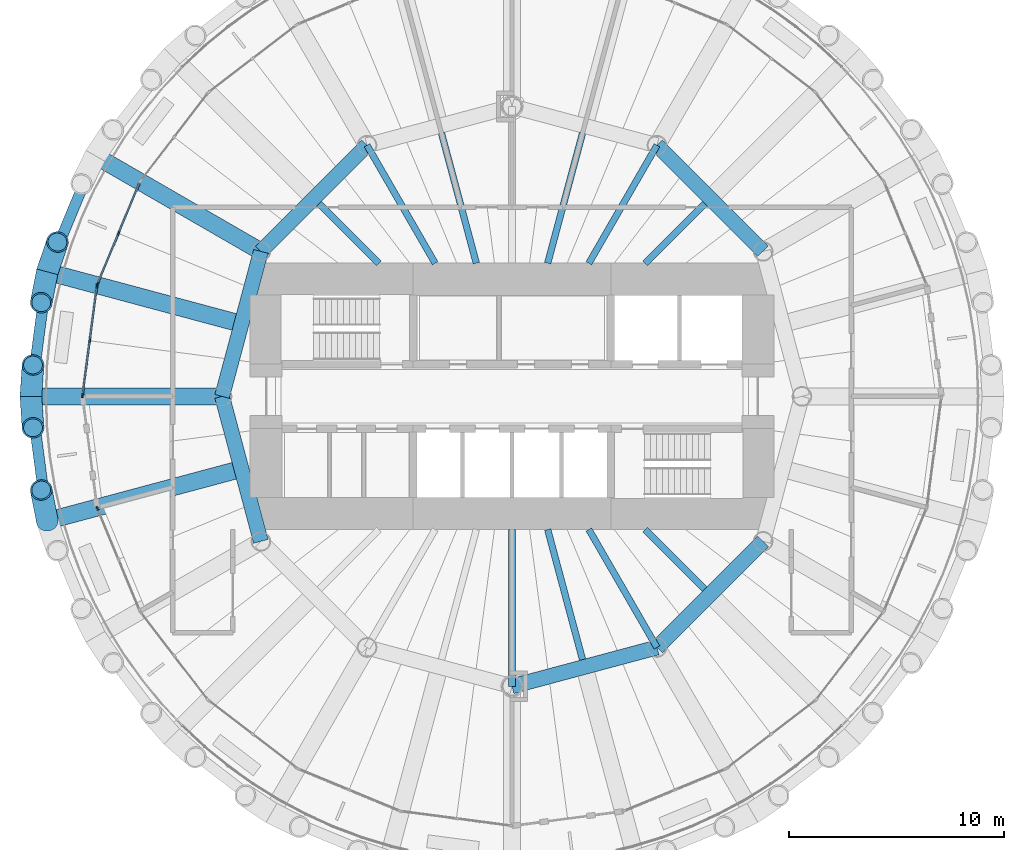
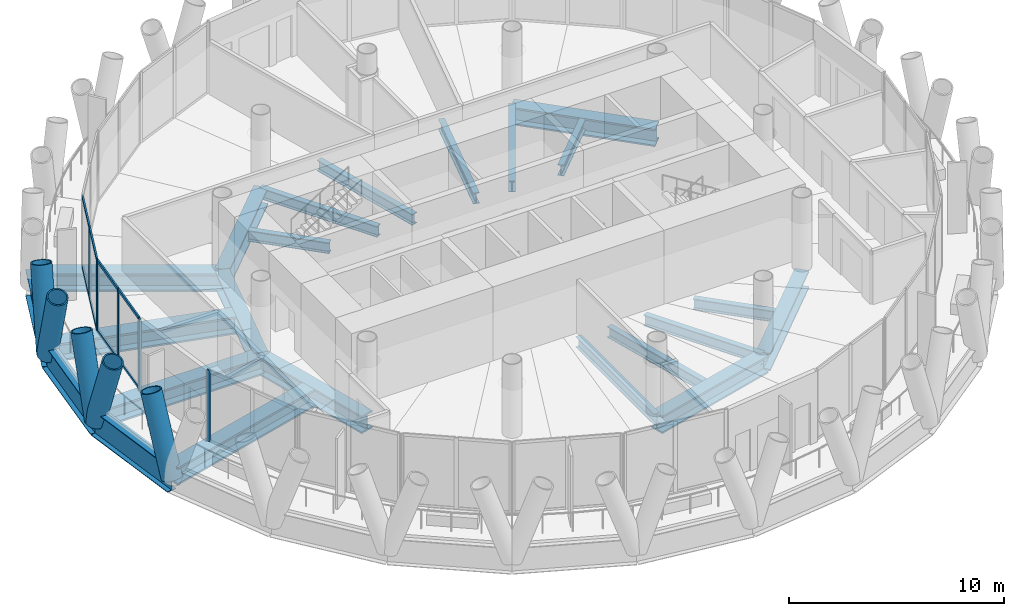
# One storey, part 3 of 13: 23 beams, 19 members, 3 elements without a shape of their own.
"""IFC4 building model written with IfcOpenShell, lengths in metres."""

from ifc_helpers import new_model, si_unit, direction, frame, origin, origin_2d, place, context, subcontext, project, spatial, rectangle, hollow_circle, i_section, extrude, material, material_profile, profile_set, type_object, element, aggregate, save


model = new_model("IFC4")

# Units and contexts
model_context = context("Model", 3, precision=1e-05, world=origin(), true_north=direction((0.0, 1.0)))
body_context = subcontext(model_context, "Body", "Model", "MODEL_VIEW")
ifc_project = project(units=[si_unit("LENGTHUNIT", "METRE"), si_unit("AREAUNIT", "SQUARE_METRE"), si_unit("VOLUMEUNIT", "CUBIC_METRE"), si_unit("PLANEANGLEUNIT", "RADIAN"), si_unit("MASSUNIT", "GRAM", prefix="KILO")], contexts=[model_context])

# Site, building, storey
site_placement = place(None, origin())
site = spatial("IfcSite", under=ifc_project, at=site_placement, CompositionType="ELEMENT")
building_placement = place(site_placement, origin())
building = spatial("IfcBuilding", under=site, at=building_placement, Name="Qaws Media Tower", CompositionType="ELEMENT")
storey_placement = place(building_placement, frame((0.0, 0.0, 244.39990234375)))
storey = spatial("IfcBuildingStorey", under=building, at=storey_placement, Name="L56", CompositionType="ELEMENT", Elevation=244.39990234375)

# Curtain wall, members
ifc_material_1 = material(Name="Aluminium and clear glass", Category="aluminium")
curtain_wall_type = type_object("IfcCurtainWallType", Name="Unitised curtain wall CW-C", PredefinedType="NOTDEFINED", material=ifc_material_1)
curtain_wall_1_placement = place(storey_placement, origin())
curtain_wall_1 = element("IfcCurtainWall", 1, at=curtain_wall_1_placement, inside=storey, type_object=curtain_wall_type, Name="CWC curtain wall L56-11", PredefinedType="NOTDEFINED")
ifc_material_2 = material(Name="Aluminium mullion", Category="aluminium")
ifc_material_profile_1 = material_profile(ifc_material_2, rectangle(XDim=0.080078125, YDim=0.199951171875, at=origin_2d()), Name="80x200")
ifc_profile_set_1 = profile_set([ifc_material_profile_1], Name="Aluminium mullion")
member_type_1 = type_object("IfcMemberType", Name="Curtain wall mullion 80x200", PredefinedType="MULLION", material=ifc_profile_set_1)
member_1_placement = place(storey_placement, frame((41.680419921875, 57.588134765625, 0.0), z_axis=(0.0, 0.0, 1.0), x_axis=(0.923879492524, -0.382683528904, 0.0)))
member_1 = element("IfcMember", 2, at=member_1_placement, type_object=member_type_1, Name="CWC mullion 2", PredefinedType="MULLION", context=body_context, shape_type="SweptSolid", body=[
    extrude(rectangle(XDim=0.080078125, YDim=0.199951171875, at=origin_2d()), origin(), (0.0, 0.0, 1.0), 4.0400390625),
])
member_2_placement = place(storey_placement, frame((40.69677734375, 55.21337890625, 0.0), z_axis=(0.0, 0.0, 1.0), x_axis=(0.923879492524, -0.382683528904, 0.0)))
member_2 = element("IfcMember", 3, at=member_2_placement, type_object=member_type_1, Name="CWC mullion 3", PredefinedType="MULLION", context=body_context, shape_type="SweptSolid", body=[
    extrude(rectangle(XDim=0.080078125, YDim=0.199951171875, at=origin_2d()), origin(), (0.0, 0.0, 1.0), 4.0400390625),
])

curtain_wall_2_placement = place(storey_placement, origin())
curtain_wall_2 = element("IfcCurtainWall", 4, at=curtain_wall_2_placement, inside=storey, type_object=curtain_wall_type, Name="CWC curtain wall L56-12", PredefinedType="NOTDEFINED")
member_3_placement = place(storey_placement, frame((40.67626953125, 55.13671875, 0.0), z_axis=(0.0, 0.0, 1.0), x_axis=(0.991444873448, -0.130526100509, 0.0)))
member_3 = element("IfcMember", 5, at=member_3_placement, type_object=member_type_1, Name="CWC mullion 1", PredefinedType="MULLION", context=body_context, shape_type="SweptSolid", body=[
    extrude(rectangle(XDim=0.080078125, YDim=0.199951171875, at=origin_2d()), origin(), (0.0, 0.0, 1.0), 4.0400390625),
])
member_4_placement = place(storey_placement, frame((40.3408203125, 52.588134765625, 0.0), z_axis=(0.0, 0.0, 1.0), x_axis=(0.991444873448, -0.130526100509, 0.0)))
member_4 = element("IfcMember", 6, at=member_4_placement, type_object=member_type_1, Name="CWC mullion 2", PredefinedType="MULLION", context=body_context, shape_type="SweptSolid", body=[
    extrude(rectangle(XDim=0.080078125, YDim=0.199951171875, at=origin_2d()), origin(), (0.0, 0.0, 1.0), 4.0400390625),
])
member_5_placement = place(storey_placement, frame((40.005126953125, 50.03955078125, 0.0), z_axis=(0.0, 0.0, 1.0), x_axis=(0.991444873448, -0.130526100509, 0.0)))
member_5 = element("IfcMember", 7, at=member_5_placement, type_object=member_type_1, Name="CWC mullion 3", PredefinedType="MULLION", context=body_context, shape_type="SweptSolid", body=[
    extrude(rectangle(XDim=0.080078125, YDim=0.199951171875, at=origin_2d()), origin(), (0.0, 0.0, 1.0), 4.0400390625),
])

# Curtain wall, member
curtain_wall_3_placement = place(storey_placement, origin())
curtain_wall_3 = element("IfcCurtainWall", 8, at=curtain_wall_3_placement, inside=storey, type_object=curtain_wall_type, Name="CWC curtain wall L56-14", PredefinedType="NOTDEFINED")
member_6_placement = place(storey_placement, frame((40.69677734375, 44.78662109375, 0.0), z_axis=(0.0, 0.0, 1.0), x_axis=(0.923879492524, 0.382683528904, 0.0)))
member_6 = element("IfcMember", 9, at=member_6_placement, type_object=member_type_1, Name="CWC mullion 1", PredefinedType="MULLION", context=body_context, shape_type="SweptSolid", body=[
    extrude(rectangle(XDim=0.080078125, YDim=0.199951171875, at=origin_2d()), origin(), (0.0, 0.0, 1.0), 4.0400390625),
])
aggregate(curtain_wall_3, [member_6])

# Member
ifc_material_3 = material(Name="Aluminium transom", Category="aluminium")
ifc_material_profile_2 = material_profile(ifc_material_3, rectangle(XDim=0.080078125, YDim=0.159912109375, at=origin_2d()), Name="80x160")
ifc_profile_set_2 = profile_set([ifc_material_profile_2], Name="Aluminium transom")
member_type_2 = type_object("IfcMemberType", Name="Curtain wall transom 80x160", PredefinedType="USERDEFINED", material=ifc_profile_set_2)
member_7_placement = place(storey_placement, frame((42.64892578125, 59.926025390625, 0.0400390625), z_axis=(-0.382721202621, -0.923863886655, 0.0), x_axis=(0.923863886655, -0.382721202621, 0.0)))
member_7 = element("IfcMember", 10, at=member_7_placement, type_object=member_type_2, Name="CWC transom 1.1", ObjectType="TRANSOM", PredefinedType="USERDEFINED", context=body_context, shape_type="SweptSolid", body=[
    extrude(rectangle(XDim=0.080078125, YDim=0.159912109375, at=origin_2d()), origin(), (0.0, 0.0, 1.0), 2.490478515625),
])

member_8_placement = place(storey_placement, frame((42.64892578125, 59.926025390625, 4.0), z_axis=(-0.382721202621, -0.923863886655, 0.0), x_axis=(0.923863886655, -0.382721202621, 0.0)))
member_8 = element("IfcMember", 11, at=member_8_placement, type_object=member_type_2, Name="CWC transom 1.2", ObjectType="TRANSOM", PredefinedType="USERDEFINED", context=body_context, shape_type="SweptSolid", body=[
    extrude(rectangle(XDim=0.080078125, YDim=0.159912109375, at=origin_2d()), origin(), (0.0, 0.0, 1.0), 2.490478515625),
])

member_9_placement = place(storey_placement, frame((41.665283203125, 57.55126953125, 0.0400390625), z_axis=(-0.382686542724, -0.923878244152, 0.0), x_axis=(0.923878244152, -0.382686542724, 0.0)))
member_9 = element("IfcMember", 12, at=member_9_placement, type_object=member_type_2, Name="CWC transom 2.1", ObjectType="TRANSOM", PredefinedType="USERDEFINED", context=body_context, shape_type="SweptSolid", body=[
    extrude(rectangle(XDim=0.080078125, YDim=0.159912109375, at=origin_2d()), origin(), (0.0, 0.0, 1.0), 2.49072265625),
])

member_10_placement = place(storey_placement, frame((41.665283203125, 57.55126953125, 4.0), z_axis=(-0.382686542724, -0.923878244152, 0.0), x_axis=(0.923878244152, -0.382686542724, 0.0)))
member_10 = element("IfcMember", 13, at=member_10_placement, type_object=member_type_2, Name="CWC transom 2.2", ObjectType="TRANSOM", PredefinedType="USERDEFINED", context=body_context, shape_type="SweptSolid", body=[
    extrude(rectangle(XDim=0.080078125, YDim=0.159912109375, at=origin_2d()), origin(), (0.0, 0.0, 1.0), 2.49072265625),
])

aggregate(curtain_wall_1, [member_1, member_2, member_7, member_8, member_9, member_10])

member_11_placement = place(storey_placement, frame((40.671142578125, 55.09716796875, 0.0400390625), z_axis=(-0.130571155736, -0.991438940777, 0.0), x_axis=(0.991438940777, -0.130571155736, 0.0)))
member_11 = element("IfcMember", 14, at=member_11_placement, type_object=member_type_2, Name="CWC transom 1.1", ObjectType="TRANSOM", PredefinedType="USERDEFINED", context=body_context, shape_type="SweptSolid", body=[
    extrude(rectangle(XDim=0.080078125, YDim=0.159912109375, at=origin_2d()), origin(), (0.0, 0.0, 1.0), 2.490478515625),
])

member_12_placement = place(storey_placement, frame((40.671142578125, 55.09716796875, 4.0), z_axis=(-0.130571155736, -0.991438940777, 0.0), x_axis=(0.991438940777, -0.130571155736, 0.0)))
member_12 = element("IfcMember", 15, at=member_12_placement, type_object=member_type_2, Name="CWC transom 1.2", ObjectType="TRANSOM", PredefinedType="USERDEFINED", context=body_context, shape_type="SweptSolid", body=[
    extrude(rectangle(XDim=0.080078125, YDim=0.159912109375, at=origin_2d()), origin(), (0.0, 0.0, 1.0), 2.490478515625),
])

member_13_placement = place(storey_placement, frame((40.33544921875, 52.548583984375, 0.0400390625), z_axis=(-0.130474798728, -0.9914516261, 0.0), x_axis=(0.9914516261, -0.130474798728, 0.0)))
member_13 = element("IfcMember", 16, at=member_13_placement, type_object=member_type_2, Name="CWC transom 2.1", ObjectType="TRANSOM", PredefinedType="USERDEFINED", context=body_context, shape_type="SweptSolid", body=[
    extrude(rectangle(XDim=0.080078125, YDim=0.159912109375, at=origin_2d()), origin(), (0.0, 0.0, 1.0), 2.490478515625),
])

member_14_placement = place(storey_placement, frame((40.33544921875, 52.548583984375, 4.0), z_axis=(-0.130474798728, -0.9914516261, 0.0), x_axis=(0.9914516261, -0.130474798728, 0.0)))
member_14 = element("IfcMember", 17, at=member_14_placement, type_object=member_type_2, Name="CWC transom 2.2", ObjectType="TRANSOM", PredefinedType="USERDEFINED", context=body_context, shape_type="SweptSolid", body=[
    extrude(rectangle(XDim=0.080078125, YDim=0.159912109375, at=origin_2d()), origin(), (0.0, 0.0, 1.0), 2.490478515625),
])

aggregate(curtain_wall_2, [member_3, member_4, member_5, member_11, member_12, member_13, member_14])

# Members
ifc_material_4 = material(Name="Steel S460", Category="steel")
ifc_material_profile_3 = material_profile(ifc_material_4, hollow_circle(Radius=0.508056640625, WallThickness=0.070068359375, at=origin_2d()), Name="CHS 1016x70")
ifc_profile_set_3 = profile_set([ifc_material_profile_3], Name="Steel S460")
member_type_3 = type_object("IfcMemberType", Name="Diagrid member CHS 1016x70", PredefinedType="USERDEFINED", material=ifc_profile_set_3)
member_15_placement = place(storey_placement, frame((38.36328125, 55.797607421875, -0.909912109375), z_axis=(-0.063832479158, -0.323114191577, 0.944204762647), x_axis=(0.981039439551, -0.193808199116, 0.0)))
element("IfcMember", 18, at=member_15_placement, inside=storey, type_object=member_type_3, Name="DG3 diagrid L56 A12", ObjectType="DIAGRID", PredefinedType="USERDEFINED", context=body_context, shape_type="SweptSolid", body=[
    extrude(hollow_circle(Radius=0.508056640625, WallThickness=0.070068359375, at=origin_2d()), origin(), (0.0, 0.0, 1.0), 4.4482421875),
])
for number, where, z_axis, x_axis, name in (
    (19, (38.36328125, 55.797607421875, -0.909912109375), (0.106315297208, 0.311700863625, 0.944213762447), (-0.946460433523, 0.322819837953, 0.0), "DG3 diagrid L56 B12"),
    (20, (37.60009765625, 50.0, -0.909912109375), (0.021954591968, -0.328605355286, 0.944212114077), (0.997775561029, 0.066662806817, 0.0), "DG3 diagrid L56 A13"),
    (21, (37.60009765625, 50.0, -0.909912109375), (0.021954591968, 0.328605355286, 0.944212114077), (-0.997775561029, 0.066662806817, 0.0), "DG3 diagrid L56 B13"),
):
    element("IfcMember", number, at=place(storey_placement, frame(where, z_axis=z_axis, x_axis=x_axis)), inside=storey, type_object=member_type_3, Name=name, ObjectType="DIAGRID", PredefinedType="USERDEFINED", context=body_context, shape_type="SweptSolid", body=[
        extrude(hollow_circle(Radius=0.508056640625, WallThickness=0.070068359375, at=origin_2d()), origin(), (0.0, 0.0, 1.0), 4.447998046875),
    ])
member_16_placement = place(storey_placement, frame((38.36328125, 44.202392578125, -0.909912109375), z_axis=(-0.063832479158, 0.323114191577, 0.944204762647), x_axis=(-0.981039439551, -0.193808199116, 0.0)))
element("IfcMember", 22, at=member_16_placement, inside=storey, type_object=member_type_3, Name="DG3 diagrid L56 B14", ObjectType="DIAGRID", PredefinedType="USERDEFINED", context=body_context, shape_type="SweptSolid", body=[
    extrude(hollow_circle(Radius=0.508056640625, WallThickness=0.070068359375, at=origin_2d()), origin(), (0.0, 0.0, 1.0), 4.4482421875),
])

# Beams
ifc_material_5 = material(Name="Steel S460", Category="steel")
ifc_material_profile_4 = material_profile(ifc_material_5, i_section(OverallWidth=0.5, OverallDepth=1.5, WebThickness=0.02001953125, FlangeThickness=0.0400390625, at=origin_2d()), Name="PG 1500x500")
ifc_profile_set_4 = profile_set([ifc_material_profile_4], Name="Steel S460")
beam_type_1 = type_object("IfcBeamType", Name="Edge ring beam PG 1500x500", PredefinedType="BEAM", material=ifc_profile_set_4)
beam_1_placement = place(storey_placement, frame((40.60107421875, 61.199951171875, -0.909912109375), z_axis=(-0.382693492394, -0.923875365447, 0.0), x_axis=(0.923875365447, -0.382693492394, 0.0)))
element("IfcBeam", 23, at=beam_1_placement, inside=storey, type_object=beam_type_1, Name="RB4 edge ring beam L56-11", PredefinedType="BEAM", context=body_context, shape_type="SweptSolid", body=[
    extrude(i_section(OverallWidth=0.5, OverallDepth=1.5, WebThickness=0.02001953125, FlangeThickness=0.0400390625, at=origin_2d()), origin(), (0.0, 0.0, 1.0), 5.847412109375),
])
for number, where, z_axis, x_axis, name in (
    (24, (38.36328125, 55.797607421875, -0.909912109375), (-0.130511752182, -0.991446762334, 0.0), (0.991446762334, -0.130511752182, 0.0), "RB4 edge ring beam L56-12"),
    (25, (37.60009765625, 50.0, -0.909912109375), (0.130511752182, -0.991446762334, 0.0), (0.991446762334, 0.130511752182, 0.0), "RB4 edge ring beam L56-13"),
):
    element("IfcBeam", number, at=place(storey_placement, frame(where, z_axis=z_axis, x_axis=x_axis)), inside=storey, type_object=beam_type_1, Name=name, PredefinedType="BEAM", context=body_context, shape_type="SweptSolid", body=[
        extrude(i_section(OverallWidth=0.5, OverallDepth=1.5, WebThickness=0.02001953125, FlangeThickness=0.0400390625, at=origin_2d()), origin(), (0.0, 0.0, 1.0), 5.84765625),
    ])
ifc_material_6 = material(Name="Steel S460", Category="steel")
ifc_material_profile_5 = material_profile(ifc_material_6, i_section(OverallWidth=0.699951171875, OverallDepth=1.0, WebThickness=0.034912109375, FlangeThickness=0.090087890625, at=origin_2d()), Name="PG 1000x700")
ifc_profile_set_5 = profile_set([ifc_material_profile_5], Name="Steel S460")
beam_type_2 = type_object("IfcBeamType", Name="Inner ring girder PG 1000x700", PredefinedType="BEAM", material=ifc_profile_set_5)
for number, where, z_axis, x_axis, name in (
    (26, (71.69140625, 56.75, -0.659912109375), (-0.707106781187, 0.707106781187, 0.0), (-0.707106781187, -0.707106781187, 0.0), "B3 inner ring beam L56 I02-I03"),
    (27, (53.25, 61.69140625, -0.659912109375), (-0.707106781187, -0.707106781187, 0.0), (0.707106781187, -0.707106781187, 0.0), "B3 inner ring beam L56 I05-I06"),
):
    element("IfcBeam", number, at=place(storey_placement, frame(where, z_axis=z_axis, x_axis=x_axis)), inside=storey, type_object=beam_type_2, Name=name, PredefinedType="BEAM", context=body_context, shape_type="SweptSolid", body=[
        extrude(i_section(OverallWidth=0.699951171875, OverallDepth=1.0, WebThickness=0.034912109375, FlangeThickness=0.090087890625, at=origin_2d()), origin(), (0.0, 0.0, 1.0), 6.98828125),
    ])
for number, where, z_axis, x_axis, name in (
    (28, (48.30859375, 56.75, -0.659912109375), (-0.258810593767, -0.965928090778, 0.0), (0.965928090778, -0.258810593767, 0.0), "B3 inner ring beam L56 I06-I07"),
    (29, (46.5, 50.0, -0.659912109375), (0.258810593767, -0.965928090778, 0.0), (0.965928090778, 0.258810593767, 0.0), "B3 inner ring beam L56 I07-I08"),
    (30, (60.0, 36.5, -0.659912109375), (0.965928090778, 0.258810593767, 0.0), (-0.258810593767, 0.965928090778, 0.0), "B3 inner ring beam L56 I10-I11"),
):
    element("IfcBeam", number, at=place(storey_placement, frame(where, z_axis=z_axis, x_axis=x_axis)), inside=storey, type_object=beam_type_2, Name=name, PredefinedType="BEAM", context=body_context, shape_type="SweptSolid", body=[
        extrude(i_section(OverallWidth=0.699951171875, OverallDepth=1.0, WebThickness=0.034912109375, FlangeThickness=0.090087890625, at=origin_2d()), origin(), (0.0, 0.0, 1.0), 6.988037109375),
    ])
beam_2_placement = place(storey_placement, frame((66.75, 38.30859375, -0.659912109375), z_axis=(0.707106781187, 0.707106781187, 0.0), x_axis=(-0.707106781187, 0.707106781187, 0.0)))
element("IfcBeam", 31, at=beam_2_placement, inside=storey, type_object=beam_type_2, Name="B3 inner ring beam L56 I11-I12", PredefinedType="BEAM", context=body_context, shape_type="SweptSolid", body=[
    extrude(i_section(OverallWidth=0.699951171875, OverallDepth=1.0, WebThickness=0.034912109375, FlangeThickness=0.090087890625, at=origin_2d()), origin(), (0.0, 0.0, 1.0), 6.98828125),
])
ifc_material_7 = material(Name="Steel S355", Category="steel")
ifc_material_profile_6 = material_profile(ifc_material_7, i_section(OverallWidth=0.304931640625, OverallDepth=0.6201171875, WebThickness=0.02099609375, FlangeThickness=0.0400390625, FilletRadius=0.027099609375, at=origin_2d()), Name="HE 600 M")
ifc_profile_set_6 = profile_set([ifc_material_profile_6], Name="Steel S355")
beam_type_3 = type_object("IfcBeamType", Name="Radial beam HE 600 M, core side", PredefinedType="BEAM", material=ifc_profile_set_6)
beam_3_placement = place(storey_placement, frame((66.199951171875, 56.199951171875, -0.469970703125), z_axis=(0.707106781187, 0.707106781187, 0.0), x_axis=(-0.707106781187, 0.707106781187, 0.0)))
element("IfcBeam", 32, at=beam_3_placement, inside=storey, type_object=beam_type_3, Name="B2 radial beam L56 04", PredefinedType="BEAM", context=body_context, shape_type="SweptSolid", body=[
    extrude(i_section(OverallWidth=0.304931640625, OverallDepth=0.6201171875, WebThickness=0.02099609375, FlangeThickness=0.0400390625, FilletRadius=0.027099609375, at=origin_2d()), origin(), (0.0, 0.0, 1.0), 3.921875),
])
beam_4_placement = place(storey_placement, frame((63.57958984375, 56.199951171875, -0.469970703125), z_axis=(0.499990193304, 0.866031065609, 0.0), x_axis=(-0.866031065609, 0.499990193304, 0.0)))
element("IfcBeam", 33, at=beam_4_placement, inside=storey, type_object=beam_type_3, Name="B2 radial beam L56 05", PredefinedType="BEAM", context=body_context, shape_type="SweptSolid", body=[
    extrude(i_section(OverallWidth=0.304931640625, OverallDepth=0.6201171875, WebThickness=0.02099609375, FlangeThickness=0.0400390625, FilletRadius=0.027099609375, at=origin_2d()), origin(), (0.0, 0.0, 1.0), 6.341064453125),
])
for number, where, z_axis, x_axis, name in (
    (34, (61.661376953125, 56.199951171875, -0.469970703125), (0.258806137559, 0.965929284763, 0.0), (-0.965929284763, 0.258806137559, 0.0), "B2 radial beam L56 06"),
    (35, (58.338623046875, 56.199951171875, -0.469970703125), (-0.258806137559, 0.965929284763, 0.0), (-0.965929284763, -0.258806137559, 0.0), "B2 radial beam L56 08"),
):
    element("IfcBeam", number, at=place(storey_placement, frame(where, z_axis=z_axis, x_axis=x_axis)), inside=storey, type_object=beam_type_3, Name=name, PredefinedType="BEAM", context=body_context, shape_type="SweptSolid", body=[
        extrude(i_section(OverallWidth=0.304931640625, OverallDepth=0.6201171875, WebThickness=0.02099609375, FlangeThickness=0.0400390625, FilletRadius=0.027099609375, at=origin_2d()), origin(), (0.0, 0.0, 1.0), 6.271240234375),
    ])
beam_5_placement = place(storey_placement, frame((56.42041015625, 56.199951171875, -0.469970703125), z_axis=(-0.499990193304, 0.866031065609, 0.0), x_axis=(-0.866031065609, -0.499990193304, 0.0)))
element("IfcBeam", 36, at=beam_5_placement, inside=storey, type_object=beam_type_3, Name="B2 radial beam L56 09", PredefinedType="BEAM", context=body_context, shape_type="SweptSolid", body=[
    extrude(i_section(OverallWidth=0.304931640625, OverallDepth=0.6201171875, WebThickness=0.02099609375, FlangeThickness=0.0400390625, FilletRadius=0.027099609375, at=origin_2d()), origin(), (0.0, 0.0, 1.0), 6.341064453125),
])
beam_6_placement = place(storey_placement, frame((53.800048828125, 56.199951171875, -0.469970703125), z_axis=(-0.707106781187, 0.707106781187, 0.0), x_axis=(-0.707106781187, -0.707106781187, 0.0)))
element("IfcBeam", 37, at=beam_6_placement, inside=storey, type_object=beam_type_3, Name="B2 radial beam L56 10", PredefinedType="BEAM", context=body_context, shape_type="SweptSolid", body=[
    extrude(i_section(OverallWidth=0.304931640625, OverallDepth=0.6201171875, WebThickness=0.02099609375, FlangeThickness=0.0400390625, FilletRadius=0.027099609375, at=origin_2d()), origin(), (0.0, 0.0, 1.0), 3.921875),
])
beam_7_placement = place(storey_placement, frame((60.0, 43.800048828125, -0.469970703125), z_axis=(0.0, -1.0, 0.0), x_axis=(1.0, 0.0, 0.0)))
element("IfcBeam", 38, at=beam_7_placement, inside=storey, type_object=beam_type_3, Name="B2 radial beam L56 19", PredefinedType="BEAM", context=body_context, shape_type="SweptSolid", body=[
    extrude(i_section(OverallWidth=0.304931640625, OverallDepth=0.6201171875, WebThickness=0.02099609375, FlangeThickness=0.0400390625, FilletRadius=0.027099609375, at=origin_2d()), origin(), (0.0, 0.0, 1.0), 7.300048828125),
])
beam_8_placement = place(storey_placement, frame((61.661376953125, 43.800048828125, -0.469970703125), z_axis=(0.258806137559, -0.965929284763, 0.0), x_axis=(0.965929284763, 0.258806137559, 0.0)))
element("IfcBeam", 39, at=beam_8_placement, inside=storey, type_object=beam_type_3, Name="B2 radial beam L56 20", PredefinedType="BEAM", context=body_context, shape_type="SweptSolid", body=[
    extrude(i_section(OverallWidth=0.304931640625, OverallDepth=0.6201171875, WebThickness=0.02099609375, FlangeThickness=0.0400390625, FilletRadius=0.027099609375, at=origin_2d()), origin(), (0.0, 0.0, 1.0), 6.271240234375),
])
beam_9_placement = place(storey_placement, frame((63.57958984375, 43.800048828125, -0.469970703125), z_axis=(0.499990193304, -0.866031065609, 0.0), x_axis=(0.866031065609, 0.499990193304, 0.0)))
element("IfcBeam", 40, at=beam_9_placement, inside=storey, type_object=beam_type_3, Name="B2 radial beam L56 21", PredefinedType="BEAM", context=body_context, shape_type="SweptSolid", body=[
    extrude(i_section(OverallWidth=0.304931640625, OverallDepth=0.6201171875, WebThickness=0.02099609375, FlangeThickness=0.0400390625, FilletRadius=0.027099609375, at=origin_2d()), origin(), (0.0, 0.0, 1.0), 6.341064453125),
])
beam_10_placement = place(storey_placement, frame((66.199951171875, 43.800048828125, -0.469970703125), z_axis=(0.707106781187, -0.707106781187, 0.0), x_axis=(0.707106781187, 0.707106781187, 0.0)))
element("IfcBeam", 41, at=beam_10_placement, inside=storey, type_object=beam_type_3, Name="B2 radial beam L56 22", PredefinedType="BEAM", context=body_context, shape_type="SweptSolid", body=[
    extrude(i_section(OverallWidth=0.304931640625, OverallDepth=0.6201171875, WebThickness=0.02099609375, FlangeThickness=0.0400390625, FilletRadius=0.027099609375, at=origin_2d()), origin(), (0.0, 0.0, 1.0), 3.921875),
])
ifc_material_8 = material(Name="Steel S460", Category="steel")
ifc_material_profile_7 = material_profile(ifc_material_8, i_section(OverallWidth=0.800048828125, OverallDepth=1.0, WebThickness=0.0400390625, FlangeThickness=0.10009765625, at=origin_2d()), Name="PG 1000x800")
ifc_profile_set_7 = profile_set([ifc_material_profile_7], Name="Steel S460")
beam_type_4 = type_object("IfcBeamType", Name="Radial girder PG 1000x800", PredefinedType="BEAM", material=ifc_profile_set_7)
beam_11_placement = place(storey_placement, frame((48.30859375, 56.75, -0.659912109375), z_axis=(-0.866024786089, 0.500001069878, 0.0), x_axis=(-0.500001069878, -0.866024786089, 0.0)))
element("IfcBeam", 42, at=beam_11_placement, inside=storey, type_object=beam_type_4, Name="B1 radial beam L56 11", PredefinedType="BEAM", context=body_context, shape_type="SweptSolid", body=[
    extrude(i_section(OverallWidth=0.800048828125, OverallDepth=1.0, WebThickness=0.0400390625, FlangeThickness=0.10009765625, at=origin_2d()), origin(), (0.0, 0.0, 1.0), 8.89990234375),
])
beam_12_placement = place(storey_placement, frame((47.066162109375, 53.465576171875, -0.659912109375), z_axis=(-0.965923013998, 0.258829540486, 0.0), x_axis=(-0.258829540486, -0.965923013998, 0.0)))
element("IfcBeam", 43, at=beam_12_placement, inside=storey, type_object=beam_type_4, Name="B1 radial beam L56 12", PredefinedType="BEAM", context=body_context, shape_type="SweptSolid", body=[
    extrude(i_section(OverallWidth=0.800048828125, OverallDepth=1.0, WebThickness=0.0400390625, FlangeThickness=0.10009765625, at=origin_2d()), origin(), (0.0, 0.0, 1.0), 9.010009765625),
])
beam_13_placement = place(storey_placement, frame((46.5, 50.0, -0.659912109375), z_axis=(-1.0, 0.0, 0.0), x_axis=(0.0, -1.0, 0.0)))
element("IfcBeam", 44, at=beam_13_placement, inside=storey, type_object=beam_type_4, Name="B1 radial beam L56 13", PredefinedType="BEAM", context=body_context, shape_type="SweptSolid", body=[
    extrude(i_section(OverallWidth=0.800048828125, OverallDepth=1.0, WebThickness=0.0400390625, FlangeThickness=0.10009765625, at=origin_2d()), origin(), (0.0, 0.0, 1.0), 8.89990234375),
])
beam_14_placement = place(storey_placement, frame((47.066162109375, 46.534423828125, -0.659912109375), z_axis=(-0.965923013998, -0.258829540486, 0.0), x_axis=(0.258829540486, -0.965923013998, 0.0)))
element("IfcBeam", 45, at=beam_14_placement, inside=storey, type_object=beam_type_4, Name="B1 radial beam L56 14", PredefinedType="BEAM", context=body_context, shape_type="SweptSolid", body=[
    extrude(i_section(OverallWidth=0.800048828125, OverallDepth=1.0, WebThickness=0.0400390625, FlangeThickness=0.10009765625, at=origin_2d()), origin(), (0.0, 0.0, 1.0), 9.010009765625),
])

save(model, "model.ifc")
